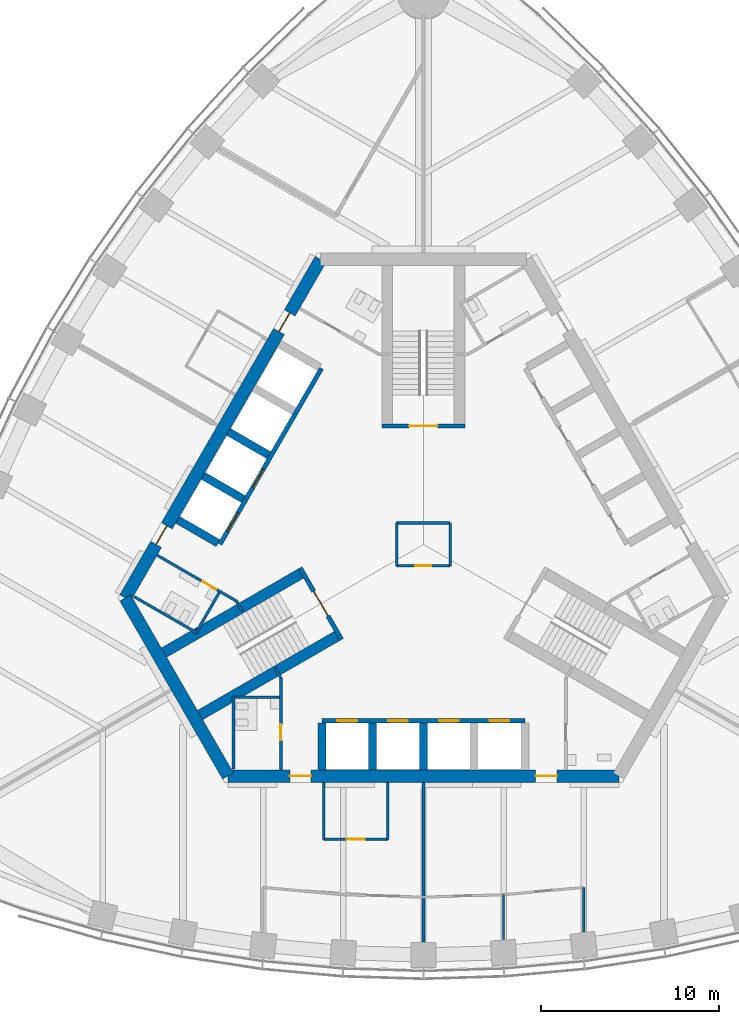
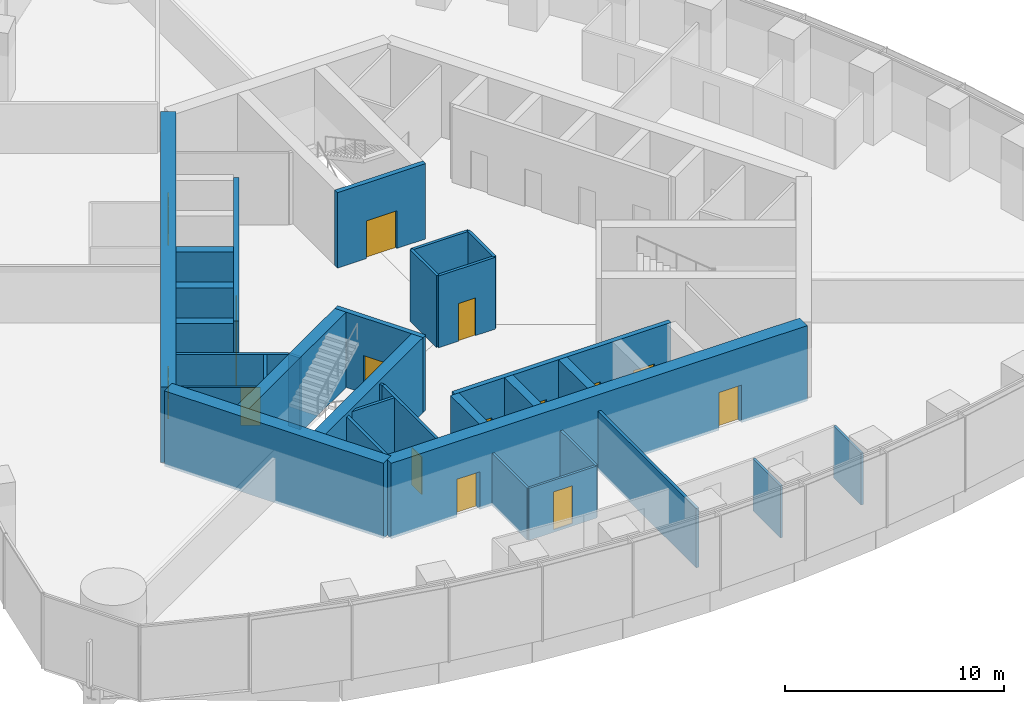
# One storey, part 8 of 15: 33 walls, 16 doors, 16 openings.
"""IFC4 building model written with IfcOpenShell, lengths in metres."""

from ifc_helpers import new_model, si_unit, direction, frame, frame_2d, origin, place, context, subcontext, project, spatial, rectangle, extrude, material, layer, layer_set, type_object, element, fill, save


model = new_model("IFC4")

# Units and contexts
model_context = context("Model", 3, precision=1e-05, world=origin(), true_north=direction((0.0, 1.0)))
body_context = subcontext(model_context, "Body", "Model", "MODEL_VIEW")
ifc_project = project(units=[si_unit("LENGTHUNIT", "METRE"), si_unit("AREAUNIT", "SQUARE_METRE"), si_unit("VOLUMEUNIT", "CUBIC_METRE"), si_unit("PLANEANGLEUNIT", "RADIAN"), si_unit("MASSUNIT", "GRAM", prefix="KILO")], contexts=[model_context])

# Site, building, storey
site_placement = place(None, origin())
site = spatial("IfcSite", under=ifc_project, at=site_placement, CompositionType="ELEMENT")
building_placement = place(site_placement, origin())
building = spatial("IfcBuilding", under=site, at=building_placement, Name="Trefoil Bronze Tower", CompositionType="ELEMENT")
storey_placement = place(building_placement, frame((0.0, 0.0, 288.89990234375)))
storey = spatial("IfcBuildingStorey", under=building, at=storey_placement, Name="L66", CompositionType="ELEMENT", Elevation=288.89990234375)

# Wall, openings, doors
ifc_material_1 = material(Name="Concrete B80", Category="concrete")
ifc_layer_1 = layer(ifc_material_1, 0.699951171875)
ifc_layer_set_1 = layer_set([ifc_layer_1], Name="Core wall 700")
wall_type_1 = type_object("IfcWallType", Name="Core wall 700", PredefinedType="SHEAR", material=ifc_layer_set_1)
wall_1_placement = place(storey_placement, frame((-10.9697265625, -13.0, 0.0), z_axis=(0.0, 0.0, 1.0), x_axis=(1.0, 0.0, 0.0)))
wall_1 = element("IfcWall", 1, at=wall_1_placement, inside=storey, type_object=wall_type_1, Name="Core long wall 1 L66", PredefinedType="SHEAR", context=body_context, shape_type="SweptSolid", body=[
    extrude(rectangle(XDim=21.939453125, YDim=0.699951171875, at=frame_2d((10.9697265625, 0.0))), origin(), (0.0, 0.0, 1.0), 4.2001953125),
])
opening_1_placement = place(wall_1_placement, frame((17.269775390625, 0.0, 0.0)))
opening_1 = element("IfcOpeningElement", 2, at=opening_1_placement, cuts=wall_1, Name="Opening D2", PredefinedType="OPENING", context=body_context, shape_type="SweptSolid", body=[
    extrude(rectangle(XDim=1.199951171875, YDim=2.10009765625, at=frame_2d((0.60009765625, 1.050048828125))), frame((0.0, 0.35986328125, 0.0), z_axis=(0.0, -1.0, 0.0), x_axis=(1.0, 0.0, 0.0)), (0.0, 0.0, 1.0), 0.719970703125),
])
opening_2_placement = place(wall_1_placement, frame((3.4697265625, 0.0, 0.0)))
opening_2 = element("IfcOpeningElement", 3, at=opening_2_placement, cuts=wall_1, Name="Opening D2", PredefinedType="OPENING", context=body_context, shape_type="SweptSolid", body=[
    extrude(rectangle(XDim=1.199951171875, YDim=2.10009765625, at=frame_2d((0.60009765625, 1.050048828125))), frame((0.0, 0.35986328125, 0.0), z_axis=(0.0, -1.0, 0.0), x_axis=(1.0, 0.0, 0.0)), (0.0, 0.0, 1.0), 0.719970703125),
])
ifc_material_2 = material(Name="Steel door", Category="steel")
door_type_1 = type_object("IfcDoorType", Name="Lobby door 1200", OperationType="SINGLE_SWING_RIGHT", PredefinedType="DOOR", material=ifc_material_2)
door_1_placement = place(opening_1_placement, origin())
door_1 = element("IfcDoor", 4, at=door_1_placement, inside=storey, type_object=door_type_1, Name="Lobby door F1+ L66", OperationType="SINGLE_SWING_RIGHT", OverallHeight=2.10009765625, OverallWidth=1.199951171875, PredefinedType="DOOR", context=body_context, shape_type="SweptSolid", body=[
    extrude(rectangle(XDim=1.199951171875, YDim=2.10009765625, at=frame_2d((0.60009765625, 1.050048828125))), frame((0.0, 0.02490234375, 0.0), z_axis=(0.0, -1.0, 0.0), x_axis=(1.0, 0.0, 0.0)), (0.0, 0.0, 1.0), 0.050048828125),
])
fill(opening_1, door_1)
door_2_placement = place(opening_2_placement, origin())
door_2 = element("IfcDoor", 5, at=door_2_placement, inside=storey, type_object=door_type_1, Name="Lobby door F1- L66", OperationType="SINGLE_SWING_LEFT", OverallHeight=2.10009765625, OverallWidth=1.199951171875, PredefinedType="DOOR", context=body_context, shape_type="SweptSolid", body=[
    extrude(rectangle(XDim=1.199951171875, YDim=2.10009765625, at=frame_2d((0.60009765625, 1.050048828125))), frame((0.0, 0.02490234375, 0.0), z_axis=(0.0, -1.0, 0.0), x_axis=(1.0, 0.0, 0.0)), (0.0, 0.0, 1.0), 0.050048828125),
])
fill(opening_2, door_2)

wall_2_placement = place(storey_placement, frame((-5.7734375, 16.0, 0.0), z_axis=(0.0, 0.0, 1.0), x_axis=(-0.500002442456, -0.866023993627, 0.0)))
wall_2 = element("IfcWall", 6, at=wall_2_placement, inside=storey, type_object=wall_type_1, Name="Core long wall 3 L66", PredefinedType="SHEAR", context=body_context, shape_type="SweptSolid", body=[
    extrude(rectangle(XDim=21.939453125, YDim=0.699951171875, at=frame_2d((10.9697265625, 0.0))), origin(), (0.0, 0.0, 1.0), 4.2001953125),
])
opening_3_placement = place(wall_2_placement, frame((17.269775390625, 0.0, 0.0)))
opening_3 = element("IfcOpeningElement", 7, at=opening_3_placement, cuts=wall_2, Name="Opening D2", PredefinedType="OPENING", context=body_context, shape_type="SweptSolid", body=[
    extrude(rectangle(XDim=1.199951171875, YDim=2.10009765625, at=frame_2d((0.60009765625, 1.050048828125))), frame((0.0, 0.35986328125, 0.0), z_axis=(0.0, -1.0, 0.0), x_axis=(1.0, 0.0, 0.0)), (0.0, 0.0, 1.0), 0.719970703125),
])
opening_4_placement = place(wall_2_placement, frame((3.4697265625, 0.0, 0.0)))
opening_4 = element("IfcOpeningElement", 8, at=opening_4_placement, cuts=wall_2, Name="Opening D2", PredefinedType="OPENING", context=body_context, shape_type="SweptSolid", body=[
    extrude(rectangle(XDim=1.199951171875, YDim=2.10009765625, at=frame_2d((0.60009765625, 1.050048828125))), frame((0.0, 0.35986328125, 0.0), z_axis=(0.0, -1.0, 0.0), x_axis=(1.0, 0.0, 0.0)), (0.0, 0.0, 1.0), 0.719970703125),
])
door_3_placement = place(opening_3_placement, origin())
door_3 = element("IfcDoor", 9, at=door_3_placement, inside=storey, type_object=door_type_1, Name="Lobby door F3+ L66", OperationType="SINGLE_SWING_RIGHT", OverallHeight=2.10009765625, OverallWidth=1.199951171875, PredefinedType="DOOR", context=body_context, shape_type="SweptSolid", body=[
    extrude(rectangle(XDim=1.199951171875, YDim=2.10009765625, at=frame_2d((0.60009765625, 1.050048828125))), frame((0.0, 0.02490234375, 0.0), z_axis=(0.0, -1.0, 0.0), x_axis=(1.0, 0.0, 0.0)), (0.0, 0.0, 1.0), 0.050048828125),
])
fill(opening_3, door_3)
door_4_placement = place(opening_4_placement, origin())
door_4 = element("IfcDoor", 10, at=door_4_placement, inside=storey, type_object=door_type_1, Name="Lobby door F3- L66", OperationType="SINGLE_SWING_LEFT", OverallHeight=2.10009765625, OverallWidth=1.199951171875, PredefinedType="DOOR", context=body_context, shape_type="SweptSolid", body=[
    extrude(rectangle(XDim=1.199951171875, YDim=2.10009765625, at=frame_2d((0.60009765625, 1.050048828125))), frame((0.0, 0.02490234375, 0.0), z_axis=(0.0, -1.0, 0.0), x_axis=(1.0, 0.0, 0.0)), (0.0, 0.0, 1.0), 0.050048828125),
])
fill(opening_4, door_4)

# Wall
wall_3_placement = place(storey_placement, frame((-16.7431640625, -3.0, 0.0), z_axis=(0.0, 0.0, 1.0), x_axis=(0.499995765644, -0.866027848477, 0.0)))
element("IfcWall", 11, at=wall_3_placement, inside=storey, type_object=wall_type_1, Name="Core short wall 3 L66", PredefinedType="SHEAR", context=body_context, shape_type="SweptSolid", body=[
    extrude(rectangle(XDim=11.546875, YDim=0.699951171875, at=frame_2d((5.7734375, 0.0))), origin(), (0.0, 0.0, 1.0), 4.2001953125),
])

# Wall, opening, door
ifc_material_3 = material(Name="Glazed partition", Category="glass")
ifc_layer_2 = layer(ifc_material_3, 0.1201171875)
ifc_layer_set_2 = layer_set([ifc_layer_2], Name="Glazed partition 120")
wall_type_2 = type_object("IfcWallType", Name="Glazed partition 120", PredefinedType="PARTITIONING", material=ifc_layer_set_2)
wall_4_placement = place(storey_placement, frame((-5.60009765625, -16.550048828125, 0.0), z_axis=(0.0, 0.0, 1.0), x_axis=(1.0, 0.0, 0.0)))
wall_4 = element("IfcWall", 12, at=wall_4_placement, inside=storey, type_object=wall_type_2, Name="Partition F1 L66", PredefinedType="PARTITIONING", context=body_context, shape_type="SweptSolid", body=[
    extrude(rectangle(XDim=3.60009765625, YDim=0.1201171875, at=frame_2d((1.800048828125, 0.0))), origin(), (0.0, 0.0, 1.0), 2.900146484375),
])
opening_5_placement = place(wall_4_placement, frame((1.300048828125, 0.0, 0.14990234375)))
opening_5 = element("IfcOpeningElement", 13, at=opening_5_placement, cuts=wall_4, Name="Opening D9", PredefinedType="OPENING", context=body_context, shape_type="SweptSolid", body=[
    extrude(rectangle(XDim=1.0, YDim=2.10009765625, at=frame_2d((0.5, 1.050048828125))), frame((0.0, 0.070068359375, 0.0), z_axis=(0.0, -1.0, 0.0), x_axis=(1.0, 0.0, 0.0)), (0.0, 0.0, 1.0), 0.14013671875),
])
ifc_material_4 = material(Name="Glazed timber door", Category="wood")
door_type_2 = type_object("IfcDoorType", Name="Meeting room door 1000", OperationType="SINGLE_SWING_LEFT", PredefinedType="DOOR", material=ifc_material_4)
door_5_placement = place(opening_5_placement, origin())
door_5 = element("IfcDoor", 14, at=door_5_placement, inside=storey, type_object=door_type_2, Name="Meeting room door F1 L66", OperationType="SINGLE_SWING_RIGHT", OverallHeight=2.10009765625, OverallWidth=1.0, PredefinedType="DOOR", context=body_context, shape_type="SweptSolid", body=[
    extrude(rectangle(XDim=1.0, YDim=2.10009765625, at=frame_2d((0.5, 1.050048828125))), frame((0.0, 0.02490234375, 0.0), z_axis=(0.0, -1.0, 0.0), x_axis=(1.0, 0.0, 0.0)), (0.0, 0.0, 1.0), 0.050048828125),
])
fill(opening_5, door_5)

# Walls
for number, where, z_axis, x_axis, name in (
    (15, (-2.0, -13.35009765625, 0.0), (0.0, 0.0, 1.0), (0.0, -1.0, 0.0), "Partition F1 L66"),
    (16, (-5.60009765625, -13.35009765625, 0.0), (0.0, 0.0, 1.0), (0.0, -1.0, 0.0), "Partition F1 L66"),
):
    element("IfcWall", number, at=place(storey_placement, frame(where, z_axis=z_axis, x_axis=x_axis)), inside=storey, type_object=wall_type_2, Name=name, PredefinedType="PARTITIONING", context=body_context, shape_type="SweptSolid", body=[
        extrude(rectangle(XDim=3.199951171875, YDim=0.1201171875, at=frame_2d((1.60009765625, 0.0))), origin(), (0.0, 0.0, 1.0), 2.900146484375),
    ])
wall_5_placement = place(storey_placement, frame((4.5, -19.665283203125, 0.0), z_axis=(0.0, 0.0, 1.0), x_axis=(0.0, -1.0, 0.0)))
element("IfcWall", 17, at=wall_5_placement, inside=storey, type_object=wall_type_2, Name="Partition F1 L66", PredefinedType="PARTITIONING", context=body_context, shape_type="SweptSolid", body=[
    extrude(rectangle(XDim=2.517333984375, YDim=0.1201171875, at=frame_2d((1.2587890625, 0.0))), origin(), (0.0, 0.0, 1.0), 2.900146484375),
])
wall_6_placement = place(storey_placement, frame((9.0, -19.255126953125, 0.0), z_axis=(0.0, 0.0, 1.0), x_axis=(0.0, -1.0, 0.0)))
element("IfcWall", 18, at=wall_6_placement, inside=storey, type_object=wall_type_2, Name="Partition F1 L66", PredefinedType="PARTITIONING", context=body_context, shape_type="SweptSolid", body=[
    extrude(rectangle(XDim=2.5087890625, YDim=0.1201171875, at=frame_2d((1.25439453125, 0.0))), origin(), (0.0, 0.0, 1.0), 2.900146484375),
])
ifc_material_5 = material(Name="Concrete B80", Category="concrete")
ifc_layer_3 = layer(ifc_material_5, 0.449951171875)
ifc_layer_set_3 = layer_set([ifc_layer_3], Name="Outrigger shaft wall 450")
wall_type_3 = type_object("IfcWallType", Name="Outrigger shaft wall 450", PredefinedType="SHEAR", material=ifc_layer_set_3)
for number, where, z_axis, x_axis, name in (
    (19, (-5.699951171875, -10.02490234375, 0.0), (0.0, 0.0, 1.0), (0.0, -1.0, 0.0), "Lift shaft side wall A0 L66"),
    (20, (-2.85009765625, -10.02490234375, 0.0), (0.0, 0.0, 1.0), (0.0, -1.0, 0.0), "Lift shaft side wall A1 L66"),
    (21, (0.0, -10.02490234375, 0.0), (0.0, 0.0, 1.0), (0.0, -1.0, 0.0), "Lift shaft side wall A2 L66"),
    (22, (-8.681884765625, 5.012451171875, 0.0), (0.0, 0.0, 1.0), (-0.866036909293, 0.499980071345, 0.0), "Lift shaft side wall C2 L66"),
    (23, (-10.10693359375, 2.54443359375, 0.0), (0.0, 0.0, 1.0), (-0.866013657776, 0.500020344131, 0.0), "Lift shaft side wall C3 L66"),
    (24, (-11.531982421875, 0.076171875, 0.0), (0.0, 0.0, 1.0), (-0.866013657776, 0.500020344131, 0.0), "Lift shaft side wall C4 L66"),
):
    element("IfcWall", number, at=place(storey_placement, frame(where, z_axis=z_axis, x_axis=x_axis)), inside=storey, type_object=wall_type_3, Name=name, PredefinedType="SHEAR", context=body_context, shape_type="SweptSolid", body=[
        extrude(rectangle(XDim=2.625, YDim=0.449951171875, at=frame_2d((1.3125, 0.0))), origin(), (0.0, 0.0, 1.0), 4.2001953125),
    ])

# Wall, opening, door
ifc_material_6 = material(Name="Gypsum board on steel studs", Category="steel")
ifc_layer_4 = layer(ifc_material_6, 0.14990234375)
ifc_layer_set_4 = layer_set([ifc_layer_4], Name="Partition 150")
wall_type_4 = type_object("IfcWallType", Name="Partition 150", PredefinedType="PARTITIONING", material=ifc_layer_set_4)
wall_7_placement = place(storey_placement, frame((-8.0, -7.5, 0.0), z_axis=(0.0, 0.0, 1.0), x_axis=(0.0, -1.0, 0.0)))
wall_7 = element("IfcWall", 25, at=wall_7_placement, inside=storey, type_object=wall_type_4, Name="Passage wall F1- L66", PredefinedType="PARTITIONING", context=body_context, shape_type="SweptSolid", body=[
    extrude(rectangle(XDim=5.14990234375, YDim=0.14990234375, at=frame_2d((2.574951171875, 0.0))), origin(), (0.0, 0.0, 1.0), 4.0),
])
opening_6_placement = place(wall_7_placement, frame((2.60009765625, 0.0, 0.0)))
opening_6 = element("IfcOpeningElement", 26, at=opening_6_placement, cuts=wall_7, Name="Opening D3", PredefinedType="OPENING", context=body_context, shape_type="SweptSolid", body=[
    extrude(rectangle(XDim=0.89990234375, YDim=2.10009765625, at=frame_2d((0.449951171875, 1.050048828125))), frame((0.0, 0.0849609375, 0.0), z_axis=(0.0, -1.0, 0.0), x_axis=(1.0, 0.0, 0.0)), (0.0, 0.0, 1.0), 0.169921875),
])
ifc_material_7 = material(Name="Timber door", Category="wood")
door_type_3 = type_object("IfcDoorType", Name="WC door 900", OperationType="SINGLE_SWING_LEFT", PredefinedType="DOOR", material=ifc_material_7)
door_6_placement = place(opening_6_placement, frame((0.89990234375, 0.0, 0.0), z_axis=(0.0, 0.0, 1.0), x_axis=(-1.0, 0.0, 0.0)))
door_6 = element("IfcDoor", 27, at=door_6_placement, inside=storey, type_object=door_type_3, Name="WC (women) door L66", OperationType="SINGLE_SWING_RIGHT", OverallHeight=2.10009765625, OverallWidth=0.89990234375, PredefinedType="DOOR", context=body_context, shape_type="SweptSolid", body=[
    extrude(rectangle(XDim=0.89990234375, YDim=2.10009765625, at=frame_2d((0.449951171875, 1.050048828125))), frame((0.0, 0.02490234375, 0.0), z_axis=(0.0, -1.0, 0.0), x_axis=(1.0, 0.0, 0.0)), (0.0, 0.0, 1.0), 0.050048828125),
])
fill(opening_6, door_6)

wall_8_placement = place(storey_placement, frame((-10.4951171875, -3.17822265625, 0.0), z_axis=(0.0, 0.0, 1.0), x_axis=(-0.866037967349, 0.499978238636, 0.0)))
wall_8 = element("IfcWall", 28, at=wall_8_placement, inside=storey, type_object=wall_type_4, Name="Passage wall F3+ L66", PredefinedType="PARTITIONING", context=body_context, shape_type="SweptSolid", body=[
    extrude(rectangle(XDim=5.150146484375, YDim=0.14990234375, at=frame_2d((2.5751953125, 0.0))), origin(), (0.0, 0.0, 1.0), 4.0),
])
opening_7_placement = place(wall_8_placement, frame((1.300048828125, 0.0, 0.0)))
opening_7 = element("IfcOpeningElement", 29, at=opening_7_placement, cuts=wall_8, Name="Opening D3", PredefinedType="OPENING", context=body_context, shape_type="SweptSolid", body=[
    extrude(rectangle(XDim=0.89990234375, YDim=2.10009765625, at=frame_2d((0.449951171875, 1.050048828125))), frame((0.0, 0.0849609375, 0.0), z_axis=(0.0, -1.0, 0.0), x_axis=(1.0, 0.0, 0.0)), (0.0, 0.0, 1.0), 0.169921875),
])
door_7_placement = place(opening_7_placement, origin())
door_7 = element("IfcDoor", 30, at=door_7_placement, inside=storey, type_object=door_type_3, Name="WC (men) door L66", OperationType="SINGLE_SWING_LEFT", OverallHeight=2.10009765625, OverallWidth=0.89990234375, PredefinedType="DOOR", context=body_context, shape_type="SweptSolid", body=[
    extrude(rectangle(XDim=0.89990234375, YDim=2.10009765625, at=frame_2d((0.449951171875, 1.050048828125))), frame((0.0, 0.02490234375, 0.0), z_axis=(0.0, -1.0, 0.0), x_axis=(1.0, 0.0, 0.0)), (0.0, 0.0, 1.0), 0.050048828125),
])
fill(opening_7, door_7)

# Walls
for number, where, z_axis, x_axis, name in (
    (31, (-10.4951171875, -3.17822265625, 0.0), (0.0, 0.0, 1.0), (0.499842556608, -0.866116284689, 0.0), "WC wall ST3-1 L66"),
    (32, (-8.0, -7.5, 0.0), (0.0, 0.0, 1.0), (-0.499842556608, 0.866116284689, 0.0), "WC wall ST3+1 L66"),
):
    element("IfcWall", number, at=place(storey_placement, frame(where, z_axis=z_axis, x_axis=x_axis)), inside=storey, type_object=wall_type_4, Name=name, PredefinedType="PARTITIONING", context=body_context, shape_type="SweptSolid", body=[
        extrude(rectangle(XDim=0.645263671875, YDim=0.14990234375, at=frame_2d((0.32275390625, 0.0))), origin(), (0.0, 0.0, 1.0), 4.0),
    ])
wall_9_placement = place(storey_placement, frame((-12.691162109375, -4.98193359375, 0.0), z_axis=(0.0, 0.0, 1.0), x_axis=(-0.8660249478, 0.500000789788, 0.0)))
element("IfcWall", 33, at=wall_9_placement, inside=storey, type_object=wall_type_4, Name="WC partition WC (men) L66", PredefinedType="PARTITIONING", context=body_context, shape_type="SweptSolid", body=[
    extrude(rectangle(XDim=4.10009765625, YDim=0.14990234375, at=frame_2d((2.050048828125, 0.0))), origin(), (0.0, 0.0, 1.0), 4.0),
])
wall_10_placement = place(storey_placement, frame((-11.463623046875, -2.70556640625, 0.0), z_axis=(0.0, 0.0, 1.0), x_axis=(-0.50001992892, -0.866013897511, 0.0)))
element("IfcWall", 34, at=wall_10_placement, inside=storey, type_object=wall_type_4, Name="WC partition WC (men) L66", PredefinedType="PARTITIONING", context=body_context, shape_type="SweptSolid", body=[
    extrude(rectangle(XDim=2.51025390625, YDim=0.14990234375, at=frame_2d((1.255126953125, 0.0))), origin(), (0.0, 0.0, 1.0), 4.0),
])
wall_11_placement = place(storey_placement, frame((-10.659912109375, -8.5, 0.0), z_axis=(0.0, 0.0, 1.0), x_axis=(0.0, -1.0, 0.0)))
element("IfcWall", 35, at=wall_11_placement, inside=storey, type_object=wall_type_4, Name="WC partition WC (women) L66", PredefinedType="PARTITIONING", context=body_context, shape_type="SweptSolid", body=[
    extrude(rectangle(XDim=4.10009765625, YDim=0.14990234375, at=frame_2d((2.050048828125, 0.0))), origin(), (0.0, 0.0, 1.0), 4.0),
])
wall_12_placement = place(storey_placement, frame((-8.074951171875, -8.574951171875, 0.0), z_axis=(0.0, 0.0, 1.0), x_axis=(-1.0, 0.0, 0.0)))
element("IfcWall", 36, at=wall_12_placement, inside=storey, type_object=wall_type_4, Name="WC partition WC (women) L66", PredefinedType="PARTITIONING", context=body_context, shape_type="SweptSolid", body=[
    extrude(rectangle(XDim=2.510009765625, YDim=0.14990234375, at=frame_2d((1.2548828125, 0.0))), origin(), (0.0, 0.0, 1.0), 4.0),
])
ifc_material_8 = material(Name="Gypsum board on steel studs", Category="steel")
ifc_layer_5 = layer(ifc_material_8, 0.14990234375)
ifc_layer_set_5 = layer_set([ifc_layer_5], Name="Party wall 150")
wall_type_5 = type_object("IfcWallType", Name="Party wall 150", PredefinedType="PARTITIONING", material=ifc_layer_set_5)
wall_13_placement = place(storey_placement, frame((0.0, -13.360107421875, 0.0), z_axis=(0.0, 0.0, 1.0), x_axis=(0.0, -1.0, 0.0)))
element("IfcWall", 37, at=wall_13_placement, inside=storey, type_object=wall_type_5, Name="Demising wall F1 L66", PredefinedType="PARTITIONING", context=body_context, shape_type="SweptSolid", body=[
    extrude(rectangle(XDim=8.96142578125, YDim=0.14990234375, at=frame_2d((4.480712890625, 0.0))), origin(), (0.0, 0.0, 1.0), 3.300048828125),
])

# Wall, opening, door
ifc_material_9 = material(Name="Gypsum board on steel studs", Category="steel")
ifc_layer_6 = layer(ifc_material_9, 0.14990234375)
ifc_layer_set_6 = layer_set([ifc_layer_6], Name="Riser wall 150")
wall_type_6 = type_object("IfcWallType", Name="Riser wall 150", PredefinedType="PARTITIONING", material=ifc_layer_set_6)
wall_14_placement = place(storey_placement, frame((-1.5, -1.199951171875, 0.0), z_axis=(0.0, 0.0, 1.0), x_axis=(1.0, 0.0, 0.0)))
wall_14 = element("IfcWall", 38, at=wall_14_placement, inside=storey, type_object=wall_type_6, Name="Riser wall L66", PredefinedType="PARTITIONING", context=body_context, shape_type="SweptSolid", body=[
    extrude(rectangle(XDim=3.0, YDim=0.14990234375, at=frame_2d((1.5, 0.0))), origin(), (0.0, 0.0, 1.0), 4.0),
])
opening_8_placement = place(wall_14_placement, frame((1.050048828125, 0.0, 0.0)))
opening_8 = element("IfcOpeningElement", 39, at=opening_8_placement, cuts=wall_14, Name="Opening D4", PredefinedType="OPENING", context=body_context, shape_type="SweptSolid", body=[
    extrude(rectangle(XDim=0.89990234375, YDim=2.10009765625, at=frame_2d((0.449951171875, 1.050048828125))), frame((0.0, 0.0849609375, 0.0), z_axis=(0.0, -1.0, 0.0), x_axis=(1.0, 0.0, 0.0)), (0.0, 0.0, 1.0), 0.169921875),
])
ifc_material_10 = material(Name="Steel door", Category="steel")
door_type_4 = type_object("IfcDoorType", Name="Riser door 900", OperationType="SINGLE_SWING_LEFT", PredefinedType="DOOR", material=ifc_material_10)
door_8_placement = place(opening_8_placement, frame((0.89990234375, 0.0, 0.0), z_axis=(0.0, 0.0, 1.0), x_axis=(-1.0, 0.0, 0.0)))
door_8 = element("IfcDoor", 40, at=door_8_placement, inside=storey, type_object=door_type_4, Name="Riser door L66", OperationType="SINGLE_SWING_LEFT", OverallHeight=2.10009765625, OverallWidth=0.89990234375, PredefinedType="DOOR", context=body_context, shape_type="SweptSolid", body=[
    extrude(rectangle(XDim=0.89990234375, YDim=2.10009765625, at=frame_2d((0.449951171875, 1.050048828125))), frame((0.0, 0.02490234375, 0.0), z_axis=(0.0, -1.0, 0.0), x_axis=(1.0, 0.0, 0.0)), (0.0, 0.0, 1.0), 0.050048828125),
])
fill(opening_8, door_8)

# Walls
wall_15_placement = place(storey_placement, frame((1.5, -1.199951171875, 0.0), z_axis=(0.0, 0.0, 1.0), x_axis=(0.0, 1.0, 0.0)))
element("IfcWall", 41, at=wall_15_placement, inside=storey, type_object=wall_type_6, Name="Riser wall L66", PredefinedType="PARTITIONING", context=body_context, shape_type="SweptSolid", body=[
    extrude(rectangle(XDim=2.39990234375, YDim=0.14990234375, at=frame_2d((1.199951171875, 0.0))), origin(), (0.0, 0.0, 1.0), 4.0),
])
wall_16_placement = place(storey_placement, frame((1.5, 1.199951171875, 0.0), z_axis=(0.0, 0.0, 1.0), x_axis=(-1.0, 0.0, 0.0)))
element("IfcWall", 42, at=wall_16_placement, inside=storey, type_object=wall_type_6, Name="Riser wall L66", PredefinedType="PARTITIONING", context=body_context, shape_type="SweptSolid", body=[
    extrude(rectangle(XDim=3.0, YDim=0.14990234375, at=frame_2d((1.5, 0.0))), origin(), (0.0, 0.0, 1.0), 4.0),
])
wall_17_placement = place(storey_placement, frame((-1.5, 1.199951171875, 0.0), z_axis=(0.0, 0.0, 1.0), x_axis=(0.0, -1.0, 0.0)))
element("IfcWall", 43, at=wall_17_placement, inside=storey, type_object=wall_type_6, Name="Riser wall L66", PredefinedType="PARTITIONING", context=body_context, shape_type="SweptSolid", body=[
    extrude(rectangle(XDim=2.39990234375, YDim=0.14990234375, at=frame_2d((1.199951171875, 0.0))), origin(), (0.0, 0.0, 1.0), 4.0),
])

# Wall, openings, doors
ifc_material_11 = material(Name="Concrete B80", Category="concrete")
ifc_layer_7 = layer(ifc_material_11, 0.25)
ifc_layer_set_7 = layer_set([ifc_layer_7], Name="Shaft wall 250")
wall_type_7 = type_object("IfcWallType", Name="Shaft wall 250", PredefinedType="SHEAR", material=ifc_layer_set_7)
wall_18_placement = place(storey_placement, frame((-5.699951171875, -9.89990234375, 0.0), z_axis=(0.0, 0.0, 1.0), x_axis=(1.0, 0.0, 0.0)))
wall_18 = element("IfcWall", 44, at=wall_18_placement, inside=storey, type_object=wall_type_7, Name="Lift shaft front wall A L66", PredefinedType="SHEAR", context=body_context, shape_type="SweptSolid", body=[
    extrude(rectangle(XDim=11.39990234375, YDim=0.25, at=frame_2d((5.699951171875, 0.0))), origin(), (0.0, 0.0, 1.0), 4.2001953125),
])
opening_9_placement = place(wall_18_placement, frame((0.875, 0.0, 0.0)))
opening_9 = element("IfcOpeningElement", 45, at=opening_9_placement, cuts=wall_18, Name="Opening LD-P41", PredefinedType="OPENING", context=body_context, shape_type="SweptSolid", body=[
    extrude(rectangle(XDim=1.10009765625, YDim=2.199951171875, at=frame_2d((0.550048828125, 1.10009765625))), frame((0.0, 0.135009765625, 0.0), z_axis=(0.0, -1.0, 0.0), x_axis=(1.0, 0.0, 0.0)), (0.0, 0.0, 1.0), 0.27001953125),
])
opening_10_placement = place(wall_18_placement, frame((3.72509765625, 0.0, 0.0)))
opening_10 = element("IfcOpeningElement", 46, at=opening_10_placement, cuts=wall_18, Name="Opening LD-P42", PredefinedType="OPENING", context=body_context, shape_type="SweptSolid", body=[
    extrude(rectangle(XDim=1.10009765625, YDim=2.199951171875, at=frame_2d((0.550048828125, 1.10009765625))), frame((0.0, 0.135009765625, 0.0), z_axis=(0.0, -1.0, 0.0), x_axis=(1.0, 0.0, 0.0)), (0.0, 0.0, 1.0), 0.27001953125),
])
opening_11_placement = place(wall_18_placement, frame((6.574951171875, 0.0, 0.0)))
opening_11 = element("IfcOpeningElement", 47, at=opening_11_placement, cuts=wall_18, Name="Opening LD-P43", PredefinedType="OPENING", context=body_context, shape_type="SweptSolid", body=[
    extrude(rectangle(XDim=1.10009765625, YDim=2.199951171875, at=frame_2d((0.550048828125, 1.10009765625))), frame((0.0, 0.135009765625, 0.0), z_axis=(0.0, -1.0, 0.0), x_axis=(1.0, 0.0, 0.0)), (0.0, 0.0, 1.0), 0.27001953125),
])
opening_12_placement = place(wall_18_placement, frame((9.425048828125, 0.0, 0.0)))
opening_12 = element("IfcOpeningElement", 48, at=opening_12_placement, cuts=wall_18, Name="Opening LD-P44", PredefinedType="OPENING", context=body_context, shape_type="SweptSolid", body=[
    extrude(rectangle(XDim=1.10009765625, YDim=2.199951171875, at=frame_2d((0.550048828125, 1.10009765625))), frame((0.0, 0.135009765625, 0.0), z_axis=(0.0, -1.0, 0.0), x_axis=(1.0, 0.0, 0.0)), (0.0, 0.0, 1.0), 0.27001953125),
])
ifc_material_12 = material(Name="Steel door", Category="steel")
door_type_5 = type_object("IfcDoorType", Name="Lift landing door 1100", OperationType="DOUBLE_DOOR_SLIDING", PredefinedType="DOOR", material=ifc_material_12)
door_9_placement = place(opening_9_placement, origin())
door_9 = element("IfcDoor", 49, at=door_9_placement, inside=storey, type_object=door_type_5, Name="Lift P41 landing door L66", OperationType="DOUBLE_DOOR_SLIDING", OverallHeight=2.199951171875, OverallWidth=1.10009765625, PredefinedType="DOOR", context=body_context, shape_type="SweptSolid", body=[
    extrude(rectangle(XDim=1.10009765625, YDim=2.199951171875, at=frame_2d((0.550048828125, 1.10009765625))), frame((0.0, 0.02490234375, 0.0), z_axis=(0.0, -1.0, 0.0), x_axis=(1.0, 0.0, 0.0)), (0.0, 0.0, 1.0), 0.050048828125),
])
fill(opening_9, door_9)
door_10_placement = place(opening_10_placement, origin())
door_10 = element("IfcDoor", 50, at=door_10_placement, inside=storey, type_object=door_type_5, Name="Lift P42 landing door L66", OperationType="DOUBLE_DOOR_SLIDING", OverallHeight=2.199951171875, OverallWidth=1.10009765625, PredefinedType="DOOR", context=body_context, shape_type="SweptSolid", body=[
    extrude(rectangle(XDim=1.10009765625, YDim=2.199951171875, at=frame_2d((0.550048828125, 1.10009765625))), frame((0.0, 0.02490234375, 0.0), z_axis=(0.0, -1.0, 0.0), x_axis=(1.0, 0.0, 0.0)), (0.0, 0.0, 1.0), 0.050048828125),
])
fill(opening_10, door_10)
door_11_placement = place(opening_11_placement, origin())
door_11 = element("IfcDoor", 51, at=door_11_placement, inside=storey, type_object=door_type_5, Name="Lift P43 landing door L66", OperationType="DOUBLE_DOOR_SLIDING", OverallHeight=2.199951171875, OverallWidth=1.10009765625, PredefinedType="DOOR", context=body_context, shape_type="SweptSolid", body=[
    extrude(rectangle(XDim=1.10009765625, YDim=2.199951171875, at=frame_2d((0.550048828125, 1.10009765625))), frame((0.0, 0.02490234375, 0.0), z_axis=(0.0, -1.0, 0.0), x_axis=(1.0, 0.0, 0.0)), (0.0, 0.0, 1.0), 0.050048828125),
])
fill(opening_11, door_11)
door_12_placement = place(opening_12_placement, origin())
door_12 = element("IfcDoor", 52, at=door_12_placement, inside=storey, type_object=door_type_5, Name="Lift P44 landing door L66", OperationType="DOUBLE_DOOR_SLIDING", OverallHeight=2.199951171875, OverallWidth=1.10009765625, PredefinedType="DOOR", context=body_context, shape_type="SweptSolid", body=[
    extrude(rectangle(XDim=1.10009765625, YDim=2.199951171875, at=frame_2d((0.550048828125, 1.10009765625))), frame((0.0, 0.02490234375, 0.0), z_axis=(0.0, -1.0, 0.0), x_axis=(1.0, 0.0, 0.0)), (0.0, 0.0, 1.0), 0.050048828125),
])
fill(opening_12, door_12)

wall_19_placement = place(storey_placement, frame((-5.7236328125, 9.88623046875, 0.0), z_axis=(0.0, 0.0, 1.0), x_axis=(-0.500001763848, -0.866024385424, 0.0)))
wall_19 = element("IfcWall", 53, at=wall_19_placement, inside=storey, type_object=wall_type_7, Name="Lift shaft front wall C L66", PredefinedType="SHEAR", context=body_context, shape_type="SweptSolid", body=[
    extrude(rectangle(XDim=11.39990234375, YDim=0.25, at=frame_2d((5.699951171875, 0.0))), origin(), (0.0, 0.0, 1.0), 4.2001953125),
])
opening_13_placement = place(wall_19_placement, frame((6.52490234375, 0.0, 0.0)))
opening_13 = element("IfcOpeningElement", 54, at=opening_13_placement, cuts=wall_19, Name="Opening LD-FL1", PredefinedType="OPENING", context=body_context, shape_type="SweptSolid", body=[
    extrude(rectangle(XDim=1.199951171875, YDim=2.199951171875, at=frame_2d((0.60009765625, 1.10009765625))), frame((0.0, 0.135009765625, 0.0), z_axis=(0.0, -1.0, 0.0), x_axis=(1.0, 0.0, 0.0)), (0.0, 0.0, 1.0), 0.27001953125),
])
opening_14_placement = place(wall_19_placement, frame((9.375, 0.0, 0.0)))
opening_14 = element("IfcOpeningElement", 55, at=opening_14_placement, cuts=wall_19, Name="Opening LD-FL2", PredefinedType="OPENING", context=body_context, shape_type="SweptSolid", body=[
    extrude(rectangle(XDim=1.199951171875, YDim=2.199951171875, at=frame_2d((0.60009765625, 1.10009765625))), frame((0.0, 0.135009765625, 0.0), z_axis=(0.0, -1.0, 0.0), x_axis=(1.0, 0.0, 0.0)), (0.0, 0.0, 1.0), 0.27001953125),
])
ifc_material_13 = material(Name="Steel door", Category="steel")
door_type_6 = type_object("IfcDoorType", Name="Lift landing door 1200", OperationType="DOUBLE_DOOR_SLIDING", PredefinedType="DOOR", material=ifc_material_13)
door_13_placement = place(opening_13_placement, origin())
door_13 = element("IfcDoor", 56, at=door_13_placement, inside=storey, type_object=door_type_6, Name="Lift FL1 landing door L66", OperationType="DOUBLE_DOOR_SLIDING", OverallHeight=2.199951171875, OverallWidth=1.199951171875, PredefinedType="DOOR", context=body_context, shape_type="SweptSolid", body=[
    extrude(rectangle(XDim=1.199951171875, YDim=2.199951171875, at=frame_2d((0.60009765625, 1.10009765625))), frame((0.0, 0.02490234375, 0.0), z_axis=(0.0, -1.0, 0.0), x_axis=(1.0, 0.0, 0.0)), (0.0, 0.0, 1.0), 0.050048828125),
])
fill(opening_13, door_13)
door_14_placement = place(opening_14_placement, origin())
door_14 = element("IfcDoor", 57, at=door_14_placement, inside=storey, type_object=door_type_6, Name="Lift FL2 landing door L66", OperationType="DOUBLE_DOOR_SLIDING", OverallHeight=2.199951171875, OverallWidth=1.199951171875, PredefinedType="DOOR", context=body_context, shape_type="SweptSolid", body=[
    extrude(rectangle(XDim=1.199951171875, YDim=2.199951171875, at=frame_2d((0.60009765625, 1.10009765625))), frame((0.0, 0.02490234375, 0.0), z_axis=(0.0, -1.0, 0.0), x_axis=(1.0, 0.0, 0.0)), (0.0, 0.0, 1.0), 0.050048828125),
])
fill(opening_14, door_14)

# Wall, opening, door
wall_20_placement = place(storey_placement, frame((2.324951171875, 6.64990234375, 0.0), z_axis=(0.0, 0.0, 1.0), x_axis=(-1.0, 0.0, 0.0)))
wall_20 = element("IfcWall", 58, at=wall_20_placement, inside=storey, type_object=wall_type_7, Name="Stair end wall ST2 L66", PredefinedType="SHEAR", context=body_context, shape_type="SweptSolid", body=[
    extrude(rectangle(XDim=4.64990234375, YDim=0.25, at=frame_2d((2.324951171875, 0.0))), origin(), (0.0, 0.0, 1.0), 4.2001953125),
])
opening_15_placement = place(wall_20_placement, frame((1.52490234375, 0.0, 0.0)))
opening_15 = element("IfcOpeningElement", 59, at=opening_15_placement, cuts=wall_20, Name="Opening D1", PredefinedType="OPENING", context=body_context, shape_type="SweptSolid", body=[
    extrude(rectangle(XDim=1.60009765625, YDim=2.10009765625, at=frame_2d((0.800048828125, 1.050048828125))), frame((0.0, 0.135009765625, 0.0), z_axis=(0.0, -1.0, 0.0), x_axis=(1.0, 0.0, 0.0)), (0.0, 0.0, 1.0), 0.27001953125),
])
ifc_material_14 = material(Name="Steel door", Category="steel")
door_type_7 = type_object("IfcDoorType", Name="Stair door 1600", OperationType="DOUBLE_DOOR_SINGLE_SWING", PredefinedType="DOOR", material=ifc_material_14)
door_15_placement = place(opening_15_placement, frame((1.60009765625, 0.0, 0.0), z_axis=(0.0, 0.0, 1.0), x_axis=(-1.0, 0.0, 0.0)))
door_15 = element("IfcDoor", 60, at=door_15_placement, inside=storey, type_object=door_type_7, Name="Stair door ST2 L66", OperationType="DOUBLE_DOOR_SINGLE_SWING", OverallHeight=2.10009765625, OverallWidth=1.60009765625, PredefinedType="DOOR", context=body_context, shape_type="SweptSolid", body=[
    extrude(rectangle(XDim=1.60009765625, YDim=2.10009765625, at=frame_2d((0.800048828125, 1.050048828125))), frame((0.0, 0.02490234375, 0.0), z_axis=(0.0, -1.0, 0.0), x_axis=(1.0, 0.0, 0.0)), (0.0, 0.0, 1.0), 0.050048828125),
])
fill(opening_15, door_15)

wall_21_placement = place(storey_placement, frame((-6.921630859375, -1.3115234375, 0.0), z_axis=(0.0, 0.0, 1.0), x_axis=(0.499984536904, -0.866034331223, 0.0)))
wall_21 = element("IfcWall", 61, at=wall_21_placement, inside=storey, type_object=wall_type_7, Name="Stair end wall ST3 L66", PredefinedType="SHEAR", context=body_context, shape_type="SweptSolid", body=[
    extrude(rectangle(XDim=4.650146484375, YDim=0.25, at=frame_2d((2.3251953125, 0.0))), origin(), (0.0, 0.0, 1.0), 4.2001953125),
])
opening_16_placement = place(wall_21_placement, frame((1.52490234375, 0.0, 0.0)))
opening_16 = element("IfcOpeningElement", 62, at=opening_16_placement, cuts=wall_21, Name="Opening D1", PredefinedType="OPENING", context=body_context, shape_type="SweptSolid", body=[
    extrude(rectangle(XDim=1.60009765625, YDim=2.10009765625, at=frame_2d((0.800048828125, 1.050048828125))), frame((0.0, 0.135009765625, 0.0), z_axis=(0.0, -1.0, 0.0), x_axis=(1.0, 0.0, 0.0)), (0.0, 0.0, 1.0), 0.27001953125),
])
door_16_placement = place(opening_16_placement, frame((1.60009765625, 0.0, 0.0), z_axis=(0.0, 0.0, 1.0), x_axis=(-1.0, 0.0, 0.0)))
door_16 = element("IfcDoor", 63, at=door_16_placement, inside=storey, type_object=door_type_7, Name="Stair door ST3 L66", OperationType="DOUBLE_DOOR_SINGLE_SWING", OverallHeight=2.10009765625, OverallWidth=1.60009765625, PredefinedType="DOOR", context=body_context, shape_type="SweptSolid", body=[
    extrude(rectangle(XDim=1.60009765625, YDim=2.10009765625, at=frame_2d((0.800048828125, 1.050048828125))), frame((0.0, 0.02490234375, 0.0), z_axis=(0.0, -1.0, 0.0), x_axis=(1.0, 0.0, 0.0)), (0.0, 0.0, 1.0), 0.050048828125),
])
fill(opening_16, door_16)

# Walls
ifc_material_15 = material(Name="Concrete B80", Category="concrete")
ifc_layer_8 = layer(ifc_material_15, 0.60009765625)
ifc_layer_set_8 = layer_set([ifc_layer_8], Name="Stair wall 600")
wall_type_8 = type_object("IfcWallType", Name="Stair wall 600", PredefinedType="SHEAR", material=ifc_layer_set_8)
for number, where, z_axis, x_axis, name in (
    (64, (-6.663330078125, -1.5087890625, 0.0), (0.0, 0.0, 1.0), (-0.866028310072, -0.499994966129, 0.0), "Stair wall ST3 L66"),
    (65, (-4.638427734375, -5.01611328125, 0.0), (0.0, 0.0, 1.0), (-0.866021621257, -0.500006551472, 0.0), "Stair wall ST3 L66"),
):
    element("IfcWall", number, at=place(storey_placement, frame(where, z_axis=z_axis, x_axis=x_axis)), inside=storey, type_object=wall_type_8, Name=name, PredefinedType="SHEAR", context=body_context, shape_type="SweptSolid", body=[
        extrude(rectangle(XDim=9.125, YDim=0.60009765625, at=frame_2d((4.5625, 0.0))), origin(), (0.0, 0.0, 1.0), 4.2001953125),
    ])

save(model, "model.ifc")
